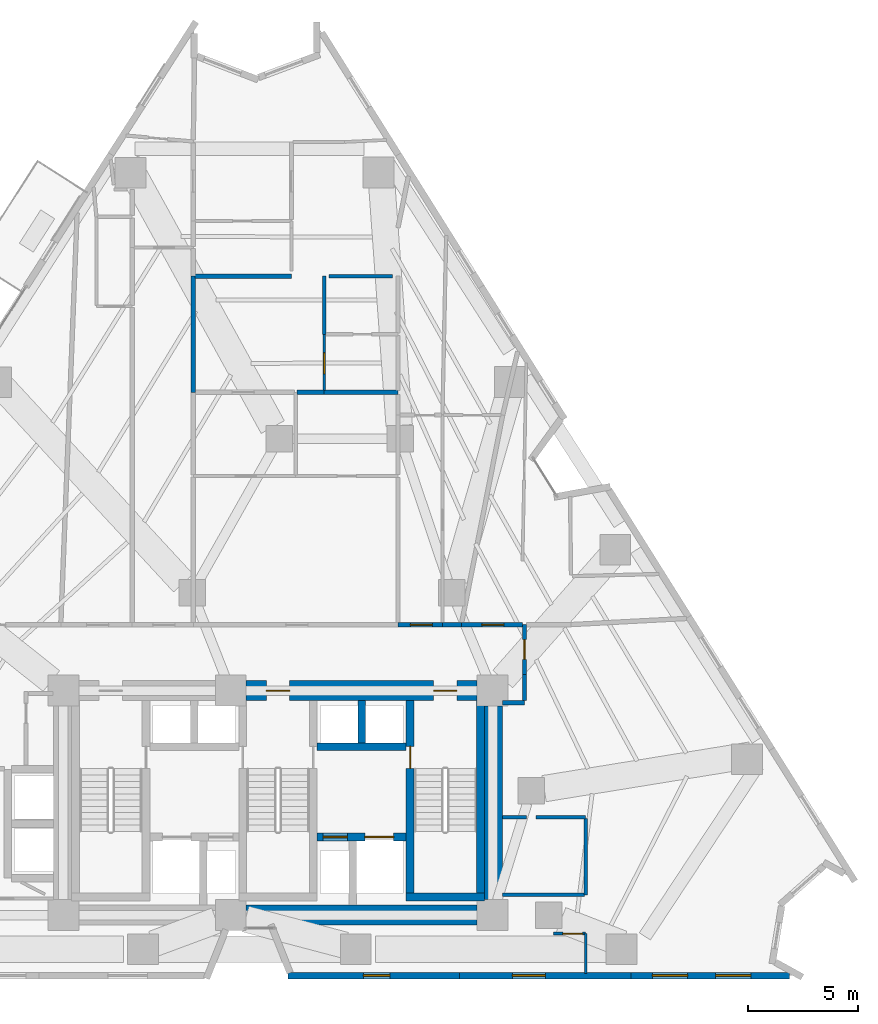
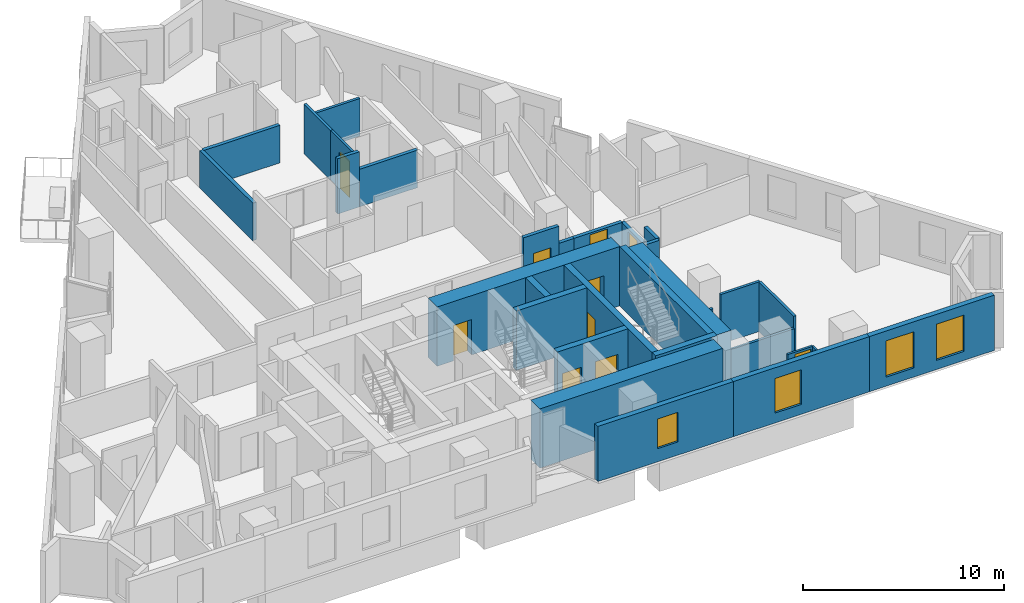
# One storey, part 9 of 13: 31 walls, 10 doors, 4 windows, 14 openings.
"""IFC4 building model written with IfcOpenShell, lengths in metres."""

from ifc_helpers import new_model, si_unit, direction, frame, frame_2d, origin, place, context, subcontext, project, spatial, rectangle, extrude, material, layer, layer_set, type_object, element, fill, save


model = new_model("IFC4")

# Units and contexts
model_context = context("Model", 3, precision=1e-05, world=origin(), true_north=direction((0.0, 1.0)))
body_context = subcontext(model_context, "Body", "Model", "MODEL_VIEW")
ifc_project = project(units=[si_unit("LENGTHUNIT", "METRE"), si_unit("AREAUNIT", "SQUARE_METRE"), si_unit("VOLUMEUNIT", "CUBIC_METRE"), si_unit("PLANEANGLEUNIT", "RADIAN"), si_unit("MASSUNIT", "GRAM", prefix="KILO")], contexts=[model_context])

# Site, building, storey
site_placement = place(None, origin())
site = spatial("IfcSite", under=ifc_project, at=site_placement, CompositionType="ELEMENT")
building_placement = place(site_placement, origin())
building = spatial("IfcBuilding", under=site, at=building_placement, Name="Almagre Mirador Tower", CompositionType="ELEMENT")
storey_placement = place(building_placement, frame((0.0, 0.0, 53.39990234375)))
storey = spatial("IfcBuildingStorey", under=building, at=storey_placement, Name="L12", CompositionType="ELEMENT", Elevation=53.39990234375)

# Wall, openings, windows
ifc_material_1 = material(Name="Precast concrete C50/60", Category="concrete")
ifc_layer_1 = layer(ifc_material_1, 0.300048828125)
ifc_layer_set_1 = layer_set([ifc_layer_1], Name="Precast concrete C50/60")
wall_type_1 = type_object("IfcWallType", Name="WAL-EXT-300", PredefinedType="SOLIDWALL", material=ifc_layer_set_1)
wall_1_placement = place(storey_placement, frame((60.534912109375, 1.800048828125, 0.0), z_axis=(0.0, 0.0, 1.0), x_axis=(-1.0, 0.0, 0.0)))
wall_1 = element("IfcWall", 1, at=wall_1_placement, inside=storey, type_object=wall_type_1, Name="L12 expressed almagre precast frame wall 21", PredefinedType="SOLIDWALL", context=body_context, shape_type="SweptSolid", body=[
    extrude(rectangle(XDim=7.188232421875, YDim=0.300048828125, at=frame_2d((3.59423828125, 0.0))), origin(), (0.0, 0.0, 1.0), 3.35009765625),
])
opening_1_placement = place(wall_1_placement, frame((4.6201171875, 0.0, 0.550048828125)))
opening_1 = element("IfcOpeningElement", 2, at=opening_1_placement, cuts=wall_1, Name="Opening WN-06", PredefinedType="OPENING", context=body_context, shape_type="SweptSolid", body=[
    extrude(rectangle(XDim=1.60009765625, YDim=2.199951171875, at=frame_2d((0.800048828125, 1.10009765625))), frame((0.0, 0.159902, 0.0), z_axis=(0.0, -1.0, 0.0), x_axis=(1.0, 0.0, 0.0)), (0.0, 0.0, 1.0), 0.320049),
])
opening_2_placement = place(wall_1_placement, frame((1.7451171875, 0.0, 0.550048828125)))
opening_2 = element("IfcOpeningElement", 3, at=opening_2_placement, cuts=wall_1, Name="Opening WN-06", PredefinedType="OPENING", context=body_context, shape_type="SweptSolid", body=[
    extrude(rectangle(XDim=1.60009765625, YDim=2.199951171875, at=frame_2d((0.800048828125, 1.10009765625))), frame((0.0, 0.159902, 0.0), z_axis=(0.0, -1.0, 0.0), x_axis=(1.0, 0.0, 0.0)), (0.0, 0.0, 1.0), 0.320049),
])
ifc_material_2 = material(Name="Dark solar-control laminated hurricane glass", Category="glass")
window_type_1 = type_object("IfcWindowType", Name="WIN-1600X2200", PartitioningType="DOUBLE_PANEL_VERTICAL", PredefinedType="WINDOW", material=ifc_material_2)
window_1_placement = place(opening_1_placement, origin())
window_1 = element("IfcWindow", 4, at=window_1_placement, inside=storey, type_object=window_type_1, Name="L12 recessed hurricane window L12-UC-LV", OverallHeight=2.199951171875, OverallWidth=1.60009765625, PartitioningType="SINGLE_PANEL", PredefinedType="WINDOW", context=body_context, shape_type="SweptSolid", body=[
    extrude(rectangle(XDim=1.60009765625, YDim=2.199951171875, at=frame_2d((0.800048828125, 1.10009765625))), frame((0.0, 0.030029296875, 0.0), z_axis=(0.0, -1.0, 0.0), x_axis=(1.0, 0.0, 0.0)), (0.0, 0.0, 1.0), 0.06005859375),
])
fill(opening_1, window_1)
window_2_placement = place(opening_2_placement, origin())
window_2 = element("IfcWindow", 5, at=window_2_placement, inside=storey, type_object=window_type_1, Name="L12 recessed hurricane window L12-UD-KT", OverallHeight=2.199951171875, OverallWidth=1.60009765625, PartitioningType="SINGLE_PANEL", PredefinedType="WINDOW", context=body_context, shape_type="SweptSolid", body=[
    extrude(rectangle(XDim=1.60009765625, YDim=2.199951171875, at=frame_2d((0.800048828125, 1.10009765625))), frame((0.0, 0.030029296875, 0.0), z_axis=(0.0, -1.0, 0.0), x_axis=(1.0, 0.0, 0.0)), (0.0, 0.0, 1.0), 0.06005859375),
])
fill(opening_2, window_2)

# Wall, opening, window
wall_2_placement = place(storey_placement, frame((53.3466796875, 1.800048828125, 0.0), z_axis=(0.0, 0.0, 1.0), x_axis=(-1.0, 0.0, 0.0)))
wall_2 = element("IfcWall", 6, at=wall_2_placement, inside=storey, type_object=wall_type_1, Name="L12 expressed almagre precast frame wall 22", PredefinedType="SOLIDWALL", context=body_context, shape_type="SweptSolid", body=[
    extrude(rectangle(XDim=7.79345703125, YDim=0.300048828125, at=frame_2d((3.896728515625, 0.0))), origin(), (0.0, 0.0, 1.0), 3.35009765625),
])
opening_3_placement = place(wall_2_placement, frame((3.89990234375, 0.0, 0.60009765625)))
opening_3 = element("IfcOpeningElement", 7, at=opening_3_placement, cuts=wall_2, Name="Opening WN-03", PredefinedType="OPENING", context=body_context, shape_type="SweptSolid", body=[
    extrude(rectangle(XDim=1.5, YDim=2.10009765625, at=frame_2d((0.75, 1.050048828125))), frame((0.0, 0.159902, 0.0), z_axis=(0.0, -1.0, 0.0), x_axis=(1.0, 0.0, 0.0)), (0.0, 0.0, 1.0), 0.320049),
])
ifc_material_3 = material(Name="Dark solar-control laminated hurricane glass", Category="glass")
window_type_2 = type_object("IfcWindowType", Name="WIN-1500X2100", PartitioningType="DOUBLE_PANEL_VERTICAL", PredefinedType="WINDOW", material=ifc_material_3)
window_3_placement = place(opening_3_placement, origin())
window_3 = element("IfcWindow", 8, at=window_3_placement, inside=storey, type_object=window_type_2, Name="L12 recessed hurricane window L12-UC-MB", OverallHeight=2.10009765625, OverallWidth=1.5, PartitioningType="SINGLE_PANEL", PredefinedType="WINDOW", context=body_context, shape_type="SweptSolid", body=[
    extrude(rectangle(XDim=1.5, YDim=2.10009765625, at=frame_2d((0.75, 1.050048828125))), frame((0.0, 0.030029296875, 0.0), z_axis=(0.0, -1.0, 0.0), x_axis=(1.0, 0.0, 0.0)), (0.0, 0.0, 1.0), 0.06005859375),
])
fill(opening_3, window_3)

wall_3_placement = place(storey_placement, frame((45.55322265625, 1.800048828125, 0.0), z_axis=(0.0, 0.0, 1.0), x_axis=(-1.0, 0.0, 0.0)))
wall_3 = element("IfcWall", 9, at=wall_3_placement, inside=storey, type_object=wall_type_1, Name="L12 expressed almagre precast frame wall 23", PredefinedType="SOLIDWALL", context=body_context, shape_type="SweptSolid", body=[
    extrude(rectangle(XDim=7.793212890625, YDim=0.300048828125, at=frame_2d((3.896484375, 0.0))), origin(), (0.0, 0.0, 1.0), 3.35009765625),
])
opening_4_placement = place(wall_3_placement, frame((3.175048828125, 0.0, 0.800048828125)))
opening_4 = element("IfcOpeningElement", 10, at=opening_4_placement, cuts=wall_3, Name="Opening WN-04", PredefinedType="OPENING", context=body_context, shape_type="SweptSolid", body=[
    extrude(rectangle(XDim=1.199951171875, YDim=1.800048828125, at=frame_2d((0.60009765625, 0.89990234375))), frame((0.0, 0.159902, 0.0), z_axis=(0.0, -1.0, 0.0), x_axis=(1.0, 0.0, 0.0)), (0.0, 0.0, 1.0), 0.320049),
])
ifc_material_4 = material(Name="Dark solar-control laminated hurricane glass", Category="glass")
window_type_3 = type_object("IfcWindowType", Name="WIN-1200X1800", PartitioningType="SINGLE_PANEL", PredefinedType="WINDOW", material=ifc_material_4)
window_4_placement = place(opening_4_placement, origin())
window_4 = element("IfcWindow", 11, at=window_4_placement, inside=storey, type_object=window_type_3, Name="L12 recessed hurricane window L12-UC-MB", OverallHeight=1.800048828125, OverallWidth=1.199951171875, PartitioningType="SINGLE_PANEL", PredefinedType="WINDOW", context=body_context, shape_type="SweptSolid", body=[
    extrude(rectangle(XDim=1.199951171875, YDim=1.800048828125, at=frame_2d((0.60009765625, 0.89990234375))), frame((0.0, 0.030029296875, 0.0), z_axis=(0.0, -1.0, 0.0), x_axis=(1.0, 0.0, 0.0)), (0.0, 0.0, 1.0), 0.06005859375),
])
fill(opening_4, window_4)

# Wall
ifc_material_5 = material(Name="Gypsum acoustic stud partition", Category="other")
ifc_layer_2 = layer(ifc_material_5, 0.10009765625)
ifc_layer_set_2 = layer_set([ifc_layer_2], Name="Gypsum acoustic stud partition")
wall_type_2 = type_object("IfcWallType", Name="WAL-PRT-100-CLS", PredefinedType="PARTITIONING", material=ifc_layer_set_2)
wall_4_placement = place(storey_placement, frame((51.280029296875, 3.7099609375, 0.0), z_axis=(0.0, 0.0, 1.0), x_axis=(0.0, -1.0, 0.0)))
element("IfcWall", 12, at=wall_4_placement, inside=storey, type_object=wall_type_2, Name="L12 interior partition 032", PredefinedType="PARTITIONING", context=body_context, shape_type="SweptSolid", body=[
    extrude(rectangle(XDim=1.81005859375, YDim=0.10009765625, at=frame_2d((0.905029296875, 0.0))), origin(), (0.0, 0.0, 1.0), 2.279052734375),
])

# Wall, opening, door
ifc_material_6 = material(Name="Gypsum acoustic stud partition", Category="other")
ifc_layer_3 = layer(ifc_material_6, 0.125)
ifc_layer_set_3 = layer_set([ifc_layer_3], Name="Gypsum acoustic stud partition")
wall_type_3 = type_object("IfcWallType", Name="WAL-PRT-125-UTL", PredefinedType="PARTITIONING", material=ifc_layer_set_3)
wall_5_placement = place(storey_placement, frame((49.820068359375, 3.7099609375, 0.0), z_axis=(0.0, 0.0, 1.0), x_axis=(1.0, 0.0, 0.0)))
wall_5 = element("IfcWall", 13, at=wall_5_placement, inside=storey, type_object=wall_type_3, Name="L12 interior partition 036", PredefinedType="PARTITIONING", context=body_context, shape_type="SweptSolid", body=[
    extrude(rectangle(XDim=1.4599609375, YDim=0.125, at=frame_2d((0.72998046875, 0.0))), origin(), (0.0, 0.0, 1.0), 2.279052734375),
])
opening_5_placement = place(wall_5_placement, frame((0.419921875, 0.0, 0.0)))
opening_5 = element("IfcOpeningElement", 14, at=opening_5_placement, cuts=wall_5, Name="Opening UD-02", PredefinedType="OPENING", context=body_context, shape_type="SweptSolid", body=[
    extrude(rectangle(XDim=0.89990234375, YDim=2.14990234375, at=frame_2d((0.449951171875, 1.074951171875))), frame((0.0, 0.0725, 0.0), z_axis=(0.0, -1.0, 0.0), x_axis=(1.0, 0.0, 0.0)), (0.0, 0.0, 1.0), 0.145),
])
ifc_material_7 = material(Name="Solid American walnut timber", Category="wood")
door_type_1 = type_object("IfcDoorType", Name="DOR-UNR-900X2150", OperationType="NOTDEFINED", PredefinedType="DOOR", material=ifc_material_7)
door_1_placement = place(opening_5_placement, origin())
door_1 = element("IfcDoor", 15, at=door_1_placement, inside=storey, type_object=door_type_1, Name="DR-0412 L12 interior door L12-RST-F to L12-UC-MB", OperationType="SINGLE_SWING_LEFT", OverallHeight=2.14990234375, OverallWidth=0.89990234375, PredefinedType="DOOR", context=body_context, shape_type="SweptSolid", body=[
    extrude(rectangle(XDim=0.89990234375, YDim=2.14990234375, at=frame_2d((0.449951171875, 1.074951171875))), frame((0.0, 0.02490234375, 0.0), z_axis=(0.0, -1.0, 0.0), x_axis=(1.0, 0.0, 0.0)), (0.0, 0.0, 1.0), 0.050048828125),
])
fill(opening_5, door_1)

wall_6_placement = place(storey_placement, frame((39.39990234375, 28.385009765625, 0.0), z_axis=(0.0, 0.0, 1.0), x_axis=(0.0, 1.0, 0.0)))
wall_6 = element("IfcWall", 16, at=wall_6_placement, inside=storey, type_object=wall_type_3, Name="L12 interior partition 086", PredefinedType="PARTITIONING", context=body_context, shape_type="SweptSolid", body=[
    extrude(rectangle(XDim=2.554931640625, YDim=0.125, at=frame_2d((1.27734375, 0.0))), origin(), (0.0, 0.0, 1.0), 3.010009765625),
])
opening_6_placement = place(wall_6_placement, frame((0.760009765625, 0.0, 0.0)))
opening_6 = element("IfcOpeningElement", 17, at=opening_6_placement, cuts=wall_6, Name="Opening UD-01", PredefinedType="OPENING", context=body_context, shape_type="SweptSolid", body=[
    extrude(rectangle(XDim=0.949951171875, YDim=2.199951171875, at=frame_2d((0.47509765625, 1.10009765625))), frame((0.0, 0.0725, 0.0), z_axis=(0.0, -1.0, 0.0), x_axis=(1.0, 0.0, 0.0)), (0.0, 0.0, 1.0), 0.145),
])
ifc_material_8 = material(Name="Solid American walnut timber", Category="wood")
door_type_2 = type_object("IfcDoorType", Name="DOR-UNR-950X2200", OperationType="NOTDEFINED", PredefinedType="DOOR", material=ifc_material_8)
door_2_placement = place(opening_6_placement, origin())
door_2 = element("IfcDoor", 18, at=door_2_placement, inside=storey, type_object=door_type_2, Name="DR-0402 L12 interior door L12-UM-ST to L12-UM-KT", OperationType="SINGLE_SWING_LEFT", OverallHeight=2.199951171875, OverallWidth=0.949951171875, PredefinedType="DOOR", context=body_context, shape_type="SweptSolid", body=[
    extrude(rectangle(XDim=0.949951171875, YDim=2.199951171875, at=frame_2d((0.47509765625, 1.10009765625))), frame((0.0, 0.02490234375, 0.0), z_axis=(0.0, -1.0, 0.0), x_axis=(1.0, 0.0, 0.0)), (0.0, 0.0, 1.0), 0.050048828125),
])
fill(opening_6, door_2)

# Walls
ifc_material_9 = material(Name="Gypsum acoustic stud partition", Category="other")
ifc_layer_4 = layer(ifc_material_9, 0.14990234375)
ifc_layer_set_4 = layer_set([ifc_layer_4], Name="Gypsum acoustic stud partition")
wall_type_4 = type_object("IfcWallType", Name="WAL-PRT-150-STD", PredefinedType="PARTITIONING", material=ifc_layer_set_4)
wall_7_placement = place(storey_placement, frame((47.5, 8.989990234375, 0.0), z_axis=(0.0, 0.0, 1.0), x_axis=(1.0, 0.0, 0.0)))
element("IfcWall", 19, at=wall_7_placement, inside=storey, type_object=wall_type_4, Name="L12 interior partition 028", PredefinedType="PARTITIONING", context=body_context, shape_type="SweptSolid", body=[
    extrude(rectangle(XDim=1.080078125, YDim=0.14990234375, at=frame_2d((0.5400390625, 0.0))), origin(), (0.0, 0.0, 1.0), 2.30908203125),
])
wall_8_placement = place(storey_placement, frame((49.02001953125, 8.989990234375, 0.0), z_axis=(0.0, 0.0, 1.0), x_axis=(1.0, 0.0, 0.0)))
element("IfcWall", 20, at=wall_8_placement, inside=storey, type_object=wall_type_4, Name="L12 interior partition 029", PredefinedType="PARTITIONING", context=body_context, shape_type="SweptSolid", body=[
    extrude(rectangle(XDim=2.260009765625, YDim=0.14990234375, at=frame_2d((1.1298828125, 0.0))), origin(), (0.0, 0.0, 1.0), 3.010009765625),
])
wall_9_placement = place(storey_placement, frame((51.280029296875, 8.929931640625, 0.0), z_axis=(0.0, 0.0, 1.0), x_axis=(0.0, -1.0, 0.0)))
element("IfcWall", 21, at=wall_9_placement, inside=storey, type_object=wall_type_4, Name="L12 interior partition 030", PredefinedType="PARTITIONING", context=body_context, shape_type="SweptSolid", body=[
    extrude(rectangle(XDim=3.4599609375, YDim=0.14990234375, at=frame_2d((1.72998046875, 0.0))), origin(), (0.0, 0.0, 1.0), 3.010009765625),
])
wall_10_placement = place(storey_placement, frame((47.5, 5.469970703125, 0.0), z_axis=(0.0, 0.0, 1.0), x_axis=(1.0, 0.0, 0.0)))
element("IfcWall", 22, at=wall_10_placement, inside=storey, type_object=wall_type_4, Name="L12 interior partition 035", PredefinedType="PARTITIONING", context=body_context, shape_type="SweptSolid", body=[
    extrude(rectangle(XDim=3.719970703125, YDim=0.14990234375, at=frame_2d((1.85986328125, 0.0))), origin(), (0.0, 0.0, 1.0), 2.30908203125),
])
wall_11_placement = place(storey_placement, frame((39.39990234375, 30.93994140625, 0.0), z_axis=(0.0, 0.0, 1.0), x_axis=(0.0, 1.0, 0.0)))
element("IfcWall", 23, at=wall_11_placement, inside=storey, type_object=wall_type_4, Name="L12 interior partition 087", PredefinedType="PARTITIONING", context=body_context, shape_type="SweptSolid", body=[
    extrude(rectangle(XDim=2.64013671875, YDim=0.14990234375, at=frame_2d((1.320068359375, 0.0))), origin(), (0.0, 0.0, 1.0), 3.010009765625),
])
wall_12_placement = place(storey_placement, frame((42.510009765625, 33.580078125, 0.0), z_axis=(0.0, 0.0, 1.0), x_axis=(-1.0, 0.0, 0.0)))
element("IfcWall", 24, at=wall_12_placement, inside=storey, type_object=wall_type_4, Name="L12 interior partition 116", PredefinedType="PARTITIONING", context=body_context, shape_type="SweptSolid", body=[
    extrude(rectangle(XDim=2.89501953125, YDim=0.14990234375, at=frame_2d((1.447509765625, 0.0))), origin(), (0.0, 0.0, 1.0), 2.279052734375),
])
ifc_material_10 = material(Name="Gypsum acoustic stud partition", Category="other")
ifc_layer_5 = layer(ifc_material_10, 0.199951171875)
ifc_layer_set_5 = layer_set([ifc_layer_5], Name="Gypsum acoustic stud partition")
wall_type_5 = type_object("IfcWallType", Name="WAL-PRT-200-EI60", PredefinedType="PARTITIONING", material=ifc_layer_set_5)
wall_13_placement = place(storey_placement, frame((47.5, 14.199951171875, 0.0), z_axis=(0.0, 0.0, 1.0), x_axis=(1.0, 0.0, 0.0)))
element("IfcWall", 25, at=wall_13_placement, inside=storey, type_object=wall_type_5, Name="L12 interior partition 004", PredefinedType="PARTITIONING", context=body_context, shape_type="SweptSolid", body=[
    extrude(rectangle(XDim=1.0, YDim=0.199951171875, at=frame_2d((0.5, 0.0))), origin(), (0.0, 0.0, 1.0), 3.35009765625),
])

# Wall, opening, door
wall_14_placement = place(storey_placement, frame((48.5, 15.47998046875, 0.0), z_axis=(0.0, 0.0, 1.0), x_axis=(0.0, 1.0, 0.0)))
wall_14 = element("IfcWall", 26, at=wall_14_placement, inside=storey, type_object=wall_type_5, Name="L12 interior partition 007", PredefinedType="PARTITIONING", context=body_context, shape_type="SweptSolid", body=[
    extrude(rectangle(XDim=2.27001953125, YDim=0.199951171875, at=frame_2d((1.135009765625, 0.0))), origin(), (0.0, 0.0, 1.0), 2.279052734375),
])
opening_7_placement = place(wall_14_placement, frame((0.68505859375, 0.0, 0.0)))
opening_7 = element("IfcOpeningElement", 27, at=opening_7_placement, cuts=wall_14, Name="Opening ID-03", PredefinedType="OPENING", context=body_context, shape_type="SweptSolid", body=[
    extrude(rectangle(XDim=0.89990234375, YDim=2.10009765625, at=frame_2d((0.449951171875, 1.050048828125))), frame((0.0, 0.110098, 0.0), z_axis=(0.0, -1.0, 0.0), x_axis=(1.0, 0.0, 0.0)), (0.0, 0.0, 1.0), 0.219951),
])
ifc_material_11 = material(Name="Fire-rated hollow steel", Category="steel")
door_type_3 = type_object("IfcDoorType", Name="DOR-FD60-900X2100", OperationType="NOTDEFINED", PredefinedType="DOOR", material=ifc_material_11)
door_3_placement = place(opening_7_placement, origin())
door_3 = element("IfcDoor", 28, at=door_3_placement, inside=storey, type_object=door_type_3, Name="DR-0381 L12 interior door L12-RCOR to L12-RST-F", OperationType="SINGLE_SWING_LEFT", OverallHeight=2.10009765625, OverallWidth=0.89990234375, PredefinedType="DOOR", context=body_context, shape_type="SweptSolid", body=[
    extrude(rectangle(XDim=0.89990234375, YDim=2.10009765625, at=frame_2d((0.449951171875, 1.050048828125))), frame((0.0, 0.02490234375, 0.0), z_axis=(0.0, -1.0, 0.0), x_axis=(1.0, 0.0, 0.0)), (0.0, 0.0, 1.0), 0.050048828125),
])
fill(opening_7, door_3)

wall_15_placement = place(storey_placement, frame((48.4150390625, 17.75, 0.0), z_axis=(0.0, 0.0, 1.0), x_axis=(-1.0, 0.0, 0.0)))
wall_15 = element("IfcWall", 29, at=wall_15_placement, inside=storey, type_object=wall_type_5, Name="L12 interior partition 010", PredefinedType="PARTITIONING", context=body_context, shape_type="SweptSolid", body=[
    extrude(rectangle(XDim=2.78515625, YDim=0.199951171875, at=frame_2d((1.392578125, 0.0))), origin(), (0.0, 0.0, 1.0), 2.30908203125),
])
opening_8_placement = place(wall_15_placement, frame((0.85009765625, 0.0, 0.0)))
opening_8 = element("IfcOpeningElement", 30, at=opening_8_placement, cuts=wall_15, Name="Opening ID-01", PredefinedType="OPENING", context=body_context, shape_type="SweptSolid", body=[
    extrude(rectangle(XDim=1.0, YDim=2.199951171875, at=frame_2d((0.5, 1.10009765625))), frame((0.0, 0.110098, 0.0), z_axis=(0.0, -1.0, 0.0), x_axis=(1.0, 0.0, 0.0)), (0.0, 0.0, 1.0), 0.219951),
])
ifc_material_12 = material(Name="Fire-rated walnut timber", Category="wood")
door_type_4 = type_object("IfcDoorType", Name="DOR-FD60-1000X2200", OperationType="NOTDEFINED", PredefinedType="DOOR", material=ifc_material_12)
door_4_placement = place(opening_8_placement, origin())
door_4 = element("IfcDoor", 31, at=door_4_placement, inside=storey, type_object=door_type_4, Name="DR-0395 L12 interior door L12-RCOR to L12-UJ-LV", OperationType="SINGLE_SWING_LEFT", OverallHeight=2.199951171875, OverallWidth=1.0, PredefinedType="DOOR", context=body_context, shape_type="SweptSolid", body=[
    extrude(rectangle(XDim=1.0, YDim=2.199951171875, at=frame_2d((0.5, 1.10009765625))), frame((0.0, 0.02490234375, 0.0), z_axis=(0.0, -1.0, 0.0), x_axis=(1.0, 0.0, 0.0)), (0.0, 0.0, 1.0), 0.050048828125),
])
fill(opening_8, door_4)

wall_16_placement = place(storey_placement, frame((44.77001953125, 17.75, 0.0), z_axis=(0.0, 0.0, 1.0), x_axis=(-1.0, 0.0, 0.0)))
wall_16 = element("IfcWall", 32, at=wall_16_placement, inside=storey, type_object=wall_type_5, Name="L12 interior partition 013", PredefinedType="PARTITIONING", context=body_context, shape_type="SweptSolid", body=[
    extrude(rectangle(XDim=2.02001953125, YDim=0.199951171875, at=frame_2d((1.010009765625, 0.0))), origin(), (0.0, 0.0, 1.0), 3.35009765625),
])
opening_9_placement = place(wall_16_placement, frame((0.45703125, 0.0, 0.0)))
opening_9 = element("IfcOpeningElement", 33, at=opening_9_placement, cuts=wall_16, Name="Opening ID-01", PredefinedType="OPENING", context=body_context, shape_type="SweptSolid", body=[
    extrude(rectangle(XDim=1.0, YDim=2.199951171875, at=frame_2d((0.5, 1.10009765625))), frame((0.0, 0.110098, 0.0), z_axis=(0.0, -1.0, 0.0), x_axis=(1.0, 0.0, 0.0)), (0.0, 0.0, 1.0), 0.219951),
])
door_5_placement = place(opening_9_placement, origin())
door_5 = element("IfcDoor", 34, at=door_5_placement, inside=storey, type_object=door_type_4, Name="DR-0404 L12 interior door L12-RCOR to L12-UN-LV", OperationType="SINGLE_SWING_LEFT", OverallHeight=2.199951171875, OverallWidth=1.0, PredefinedType="DOOR", context=body_context, shape_type="SweptSolid", body=[
    extrude(rectangle(XDim=1.0, YDim=2.199951171875, at=frame_2d((0.5, 1.10009765625))), frame((0.0, 0.02490234375, 0.0), z_axis=(0.0, -1.0, 0.0), x_axis=(1.0, 0.0, 0.0)), (0.0, 0.0, 1.0), 0.050048828125),
])
fill(opening_9, door_5)

# Walls
wall_17_placement = place(storey_placement, frame((45.6298828125, 17.75, 0.0), z_axis=(0.0, 0.0, 1.0), x_axis=(-1.0, 0.0, 0.0)))
element("IfcWall", 35, at=wall_17_placement, inside=storey, type_object=wall_type_5, Name="L12 interior partition 014", PredefinedType="PARTITIONING", context=body_context, shape_type="SweptSolid", body=[
    extrude(rectangle(XDim=0.85986328125, YDim=0.199951171875, at=frame_2d((0.429931640625, 0.0))), origin(), (0.0, 0.0, 1.0), 2.30908203125),
])
wall_18_placement = place(storey_placement, frame((39.39990234375, 28.300048828125, 0.0), z_axis=(0.0, 0.0, 1.0), x_axis=(-1.0, 0.0, 0.0)))
element("IfcWall", 36, at=wall_18_placement, inside=storey, type_object=wall_type_5, Name="L12 interior partition 060", PredefinedType="PARTITIONING", context=body_context, shape_type="SweptSolid", body=[
    extrude(rectangle(XDim=1.239990234375, YDim=0.199951171875, at=frame_2d((0.6201171875, 0.0))), origin(), (0.0, 0.0, 1.0), 3.35009765625),
])
wall_19_placement = place(storey_placement, frame((42.75, 28.300048828125, 0.0), z_axis=(0.0, 0.0, 1.0), x_axis=(-1.0, 0.0, 0.0)))
element("IfcWall", 37, at=wall_19_placement, inside=storey, type_object=wall_type_5, Name="L12 interior partition 061", PredefinedType="PARTITIONING", context=body_context, shape_type="SweptSolid", body=[
    extrude(rectangle(XDim=3.35009765625, YDim=0.199951171875, at=frame_2d((1.675048828125, 0.0))), origin(), (0.0, 0.0, 1.0), 2.279052734375),
])
wall_20_placement = place(storey_placement, frame((33.449951171875, 28.300048828125, 0.0), z_axis=(0.0, 0.0, 1.0), x_axis=(0.0, 1.0, 0.0)))
element("IfcWall", 38, at=wall_20_placement, inside=storey, type_object=wall_type_5, Name="L12 interior partition 080", PredefinedType="PARTITIONING", context=body_context, shape_type="SweptSolid", body=[
    extrude(rectangle(XDim=5.280029296875, YDim=0.199951171875, at=frame_2d((2.64013671875, 0.0))), origin(), (0.0, 0.0, 1.0), 2.279052734375),
])
wall_21_placement = place(storey_placement, frame((37.909912109375, 33.580078125, 0.0), z_axis=(0.0, 0.0, 1.0), x_axis=(-1.0, 0.0, 0.0)))
element("IfcWall", 39, at=wall_21_placement, inside=storey, type_object=wall_type_5, Name="L12 interior partition 088", PredefinedType="PARTITIONING", context=body_context, shape_type="SweptSolid", body=[
    extrude(rectangle(XDim=4.375, YDim=0.199951171875, at=frame_2d((2.1875, 0.0))), origin(), (0.0, 0.0, 1.0), 2.279052734375),
])
wall_22_placement = place(storey_placement, frame((48.5, 14.2900390625, 0.0), z_axis=(0.0, 0.0, 1.0), x_axis=(0.0, 1.0, 0.0)))
element("IfcWall", 40, at=wall_22_placement, inside=storey, type_object=wall_type_5, Name="L12 interior partition 103", PredefinedType="PARTITIONING", context=body_context, shape_type="SweptSolid", body=[
    extrude(rectangle(XDim=1.18994140625, YDim=0.199951171875, at=frame_2d((0.594970703125, 0.0))), origin(), (0.0, 0.0, 1.0), 3.35009765625),
])

# Wall, opening, door
ifc_material_13 = material(Name="Concrete C60/75", Category="concrete")
ifc_layer_6 = layer(ifc_material_13, 0.35009765625)
ifc_layer_set_6 = layer_set([ifc_layer_6], Name="Concrete C60/75")
wall_type_6 = type_object("IfcWallType", Name="WAL-SHF-350", PredefinedType="SOLIDWALL", material=ifc_layer_set_6)
wall_23_placement = place(storey_placement, frame((43.300048828125, 5.199951171875, 0.0), z_axis=(0.0, 0.0, 1.0), x_axis=(0.0, 1.0, 0.0)))
wall_23 = element("IfcWall", 41, at=wall_23_placement, inside=storey, type_object=wall_type_6, Name="L12 shaft wall ST3-W", PredefinedType="SOLIDWALL", context=body_context, shape_type="SweptSolid", body=[
    extrude(rectangle(XDim=9.10009765625, YDim=0.35009765625, at=frame_2d((4.550048828125, 0.0))), origin(), (0.0, 0.0, 1.0), 3.60009765625),
])
opening_10_placement = place(wall_23_placement, frame((6.02001953125, 0.0, 0.0)))
opening_10 = element("IfcOpeningElement", 42, at=opening_10_placement, cuts=wall_23, Name="Opening FD-01", PredefinedType="OPENING", context=body_context, shape_type="SweptSolid", body=[
    extrude(rectangle(XDim=1.0, YDim=2.14990234375, at=frame_2d((0.5, 1.074951171875))), frame((0.0, 0.185049, 0.0), z_axis=(0.0, -1.0, 0.0), x_axis=(1.0, 0.0, 0.0)), (0.0, 0.0, 1.0), 0.370098),
])
ifc_material_14 = material(Name="Fire-rated hollow steel", Category="steel")
door_type_5 = type_object("IfcDoorType", Name="DOR-FFL-1000X2150", OperationType="NOTDEFINED", PredefinedType="DOOR", material=ifc_material_14)
door_6_placement = place(opening_10_placement, origin())
door_6 = element("IfcDoor", 43, at=door_6_placement, inside=storey, type_object=door_type_5, Name="DR-0380 L12 FFL2-ST3 smokeproof door", OperationType="SINGLE_SWING_LEFT", OverallHeight=2.14990234375, OverallWidth=1.0, PredefinedType="DOOR", context=body_context, shape_type="SweptSolid", body=[
    extrude(rectangle(XDim=1.0, YDim=2.14990234375, at=frame_2d((0.5, 1.074951171875))), frame((0.0, 0.02490234375, 0.0), z_axis=(0.0, -1.0, 0.0), x_axis=(1.0, 0.0, 0.0)), (0.0, 0.0, 1.0), 0.050048828125),
])
fill(opening_10, door_6)

# Walls
wall_24_placement = place(storey_placement, frame((46.5, 5.199951171875, 0.0), z_axis=(0.0, 0.0, 1.0), x_axis=(0.0, 1.0, 0.0)))
element("IfcWall", 44, at=wall_24_placement, inside=storey, type_object=wall_type_6, Name="L12 shaft wall ST3-E", PredefinedType="SOLIDWALL", context=body_context, shape_type="SweptSolid", body=[
    extrude(rectangle(XDim=9.10009765625, YDim=0.35009765625, at=frame_2d((4.550048828125, 0.0))), origin(), (0.0, 0.0, 1.0), 3.60009765625),
])
wall_25_placement = place(storey_placement, frame((43.125, 5.375, 0.0), z_axis=(0.0, 0.0, 1.0), x_axis=(1.0, 0.0, 0.0)))
element("IfcWall", 45, at=wall_25_placement, inside=storey, type_object=wall_type_6, Name="L12 shaft wall ST3-S", PredefinedType="SOLIDWALL", context=body_context, shape_type="SweptSolid", body=[
    extrude(rectangle(XDim=3.550048828125, YDim=0.35009765625, at=frame_2d((1.77490234375, 0.0))), origin(), (0.0, 0.0, 1.0), 3.60009765625),
])

# Wall, openings, doors
wall_26_placement = place(storey_placement, frame((39.074951171875, 8.10009765625, 0.0), z_axis=(0.0, 0.0, 1.0), x_axis=(1.0, 0.0, 0.0)))
wall_26 = element("IfcWall", 46, at=wall_26_placement, inside=storey, type_object=wall_type_6, Name="L12 shaft wall FSAE2-N", PredefinedType="SOLIDWALL", context=body_context, shape_type="SweptSolid", body=[
    extrude(rectangle(XDim=4.050048828125, YDim=0.35009765625, at=frame_2d((2.02490234375, 0.0))), origin(), (0.0, 0.0, 1.0), 3.60009765625),
])
opening_11_placement = place(wall_26_placement, frame((2.175048828125, 0.0, 0.0)))
opening_11 = element("IfcOpeningElement", 47, at=opening_11_placement, cuts=wall_26, Name="Opening LD-03", PredefinedType="OPENING", context=body_context, shape_type="SweptSolid", body=[
    extrude(rectangle(XDim=1.300048828125, YDim=2.25, at=frame_2d((0.64990234375, 1.125))), frame((0.0, 0.185049, 0.0), z_axis=(0.0, -1.0, 0.0), x_axis=(1.0, 0.0, 0.0)), (0.0, 0.0, 1.0), 0.370098),
])
opening_12_placement = place(wall_26_placement, frame((0.27490234375, 0.0, 0.0)))
opening_12 = element("IfcOpeningElement", 48, at=opening_12_placement, cuts=wall_26, Name="Opening LD-01", PredefinedType="OPENING", context=body_context, shape_type="SweptSolid", body=[
    extrude(rectangle(XDim=1.10009765625, YDim=2.199951171875, at=frame_2d((0.550048828125, 1.10009765625))), frame((0.0, 0.185049, 0.0), z_axis=(0.0, -1.0, 0.0), x_axis=(1.0, 0.0, 0.0)), (0.0, 0.0, 1.0), 0.370098),
])
ifc_material_15 = material(Name="Hollow stainless steel", Category="steel")
door_type_6 = type_object("IfcDoorType", Name="DOR-LD-1100X2200", OperationType="DOUBLE_DOOR_SLIDING", PredefinedType="DOOR", material=ifc_material_15)
door_7_placement = place(opening_12_placement, origin())
door_7 = element("IfcDoor", 49, at=door_7_placement, inside=storey, type_object=door_type_6, Name="DR-0416 L12 PL-L2 lift landing door", OperationType="DOUBLE_DOOR_SLIDING", OverallHeight=2.199951171875, OverallWidth=1.10009765625, PredefinedType="DOOR", context=body_context, shape_type="SweptSolid", body=[
    extrude(rectangle(XDim=1.10009765625, YDim=2.199951171875, at=frame_2d((0.550048828125, 1.10009765625))), frame((0.0, 0.02490234375, 0.0), z_axis=(0.0, -1.0, 0.0), x_axis=(1.0, 0.0, 0.0)), (0.0, 0.0, 1.0), 0.050048828125),
])
fill(opening_12, door_7)
ifc_material_16 = material(Name="Hollow stainless steel", Category="steel")
door_type_7 = type_object("IfcDoorType", Name="DOR-LD-1300X2250", OperationType="DOUBLE_DOOR_SLIDING", PredefinedType="DOOR", material=ifc_material_16)
door_8_placement = place(opening_11_placement, origin())
door_8 = element("IfcDoor", 50, at=door_8_placement, inside=storey, type_object=door_type_7, Name="DR-0414 L12 FSAE-2 lift landing door", OperationType="DOUBLE_DOOR_SLIDING", OverallHeight=2.25, OverallWidth=1.300048828125, PredefinedType="DOOR", context=body_context, shape_type="SweptSolid", body=[
    extrude(rectangle(XDim=1.300048828125, YDim=2.25, at=frame_2d((0.64990234375, 1.125))), frame((0.0, 0.02490234375, 0.0), z_axis=(0.0, -1.0, 0.0), x_axis=(1.0, 0.0, 0.0)), (0.0, 0.0, 1.0), 0.050048828125),
])
fill(opening_11, door_8)

# Walls
wall_27_placement = place(storey_placement, frame((39.074951171875, 12.199951171875, 0.0), z_axis=(0.0, 0.0, 1.0), x_axis=(1.0, 0.0, 0.0)))
element("IfcWall", 51, at=wall_27_placement, inside=storey, type_object=wall_type_6, Name="L12 shaft wall PLH-S", PredefinedType="SOLIDWALL", context=body_context, shape_type="SweptSolid", body=[
    extrude(rectangle(XDim=4.050048828125, YDim=0.35009765625, at=frame_2d((2.02490234375, 0.0))), origin(), (0.0, 0.0, 1.0), 3.60009765625),
])
wall_28_placement = place(storey_placement, frame((41.10009765625, 12.375, 0.0), z_axis=(0.0, 0.0, 1.0), x_axis=(0.0, 1.0, 0.0)))
element("IfcWall", 52, at=wall_28_placement, inside=storey, type_object=wall_type_6, Name="L12 shaft wall PLH-M", PredefinedType="SOLIDWALL", context=body_context, shape_type="SweptSolid", body=[
    extrude(rectangle(XDim=1.925048828125, YDim=0.35009765625, at=frame_2d((0.96240234375, 0.0))), origin(), (0.0, 0.0, 1.0), 3.60009765625),
])
ifc_material_17 = material(Name="Concrete C70/85", Category="concrete")
ifc_layer_7 = layer(ifc_material_17, 0.89990234375)
ifc_layer_set_7 = layer_set([ifc_layer_7], Name="Concrete C70/85")
wall_type_7 = type_object("IfcWallType", Name="WAL-SHR-900", PredefinedType="SHEAR", material=ifc_layer_set_7)
wall_29_placement = place(storey_placement, frame((35.85009765625, 4.550048828125, 0.0), z_axis=(0.0, 0.0, 1.0), x_axis=(1.0, 0.0, 0.0)))
element("IfcWall", 53, at=wall_29_placement, inside=storey, type_object=wall_type_7, Name="L12 core shear wall S2", PredefinedType="SHEAR", context=body_context, shape_type="SweptSolid", body=[
    extrude(rectangle(XDim=10.5, YDim=0.89990234375, at=frame_2d((5.25, 0.0))), origin(), (0.0, 0.0, 1.0), 3.60009765625),
])

# Wall, openings, doors
wall_30_placement = place(storey_placement, frame((35.85009765625, 14.75, 0.0), z_axis=(0.0, 0.0, 1.0), x_axis=(1.0, 0.0, 0.0)))
wall_30 = element("IfcWall", 54, at=wall_30_placement, inside=storey, type_object=wall_type_7, Name="L12 core shear wall N2", PredefinedType="SHEAR", context=body_context, shape_type="SweptSolid", body=[
    extrude(rectangle(XDim=10.5, YDim=0.89990234375, at=frame_2d((5.25, 0.0))), origin(), (0.0, 0.0, 1.0), 3.60009765625),
])
opening_13_placement = place(wall_30_placement, frame((0.925048828125, 0.0, 0.0)))
opening_13 = element("IfcOpeningElement", 55, at=opening_13_placement, cuts=wall_30, Name="Opening SD-01", PredefinedType="OPENING", context=body_context, shape_type="SweptSolid", body=[
    extrude(rectangle(XDim=1.050048828125, YDim=2.14990234375, at=frame_2d((0.52490234375, 1.074951171875))), frame((0.0, 0.459951, 0.0), z_axis=(0.0, -1.0, 0.0), x_axis=(1.0, 0.0, 0.0)), (0.0, 0.0, 1.0), 0.919902),
])
opening_14_placement = place(wall_30_placement, frame((8.52490234375, 0.0, 0.0)))
opening_14 = element("IfcOpeningElement", 56, at=opening_14_placement, cuts=wall_30, Name="Opening SD-01", PredefinedType="OPENING", context=body_context, shape_type="SweptSolid", body=[
    extrude(rectangle(XDim=1.050048828125, YDim=2.14990234375, at=frame_2d((0.52490234375, 1.074951171875))), frame((0.0, 0.459951, 0.0), z_axis=(0.0, -1.0, 0.0), x_axis=(1.0, 0.0, 0.0)), (0.0, 0.0, 1.0), 0.919902),
])
ifc_material_18 = material(Name="Fire-rated hollow steel", Category="steel")
door_type_8 = type_object("IfcDoorType", Name="DOR-ST-1050X2150", OperationType="NOTDEFINED", PredefinedType="DOOR", material=ifc_material_18)
door_9_placement = place(opening_13_placement, origin())
door_9 = element("IfcDoor", 57, at=door_9_placement, inside=storey, type_object=door_type_8, Name="DR-0418 L12 protected exit stair ST-2 door", OperationType="SINGLE_SWING_RIGHT", OverallHeight=2.14990234375, OverallWidth=1.050048828125, PredefinedType="DOOR", context=body_context, shape_type="SweptSolid", body=[
    extrude(rectangle(XDim=1.050048828125, YDim=2.14990234375, at=frame_2d((0.52490234375, 1.074951171875))), frame((0.0, 0.02490234375, 0.0), z_axis=(0.0, -1.0, 0.0), x_axis=(1.0, 0.0, 0.0)), (0.0, 0.0, 1.0), 0.050048828125),
])
fill(opening_13, door_9)
door_10_placement = place(opening_14_placement, origin())
door_10 = element("IfcDoor", 58, at=door_10_placement, inside=storey, type_object=door_type_8, Name="DR-0419 L12 protected exit stair ST-3 door", OperationType="SINGLE_SWING_LEFT", OverallHeight=2.14990234375, OverallWidth=1.050048828125, PredefinedType="DOOR", context=body_context, shape_type="SweptSolid", body=[
    extrude(rectangle(XDim=1.050048828125, YDim=2.14990234375, at=frame_2d((0.52490234375, 1.074951171875))), frame((0.0, 0.02490234375, 0.0), z_axis=(0.0, -1.0, 0.0), x_axis=(1.0, 0.0, 0.0)), (0.0, 0.0, 1.0), 0.050048828125),
])
fill(opening_14, door_10)

# Wall
wall_31_placement = place(storey_placement, frame((47.050048828125, 5.25, 0.0), z_axis=(0.0, 0.0, 1.0), x_axis=(0.0, 1.0, 0.0)))
element("IfcWall", 59, at=wall_31_placement, inside=storey, type_object=wall_type_7, Name="L12 core shear wall E1", PredefinedType="SHEAR", context=body_context, shape_type="SweptSolid", body=[
    extrude(rectangle(XDim=8.800048828125, YDim=0.89990234375, at=frame_2d((4.39990234375, 0.0))), origin(), (0.0, 0.0, 1.0), 3.60009765625),
])

save(model, "model.ifc")
